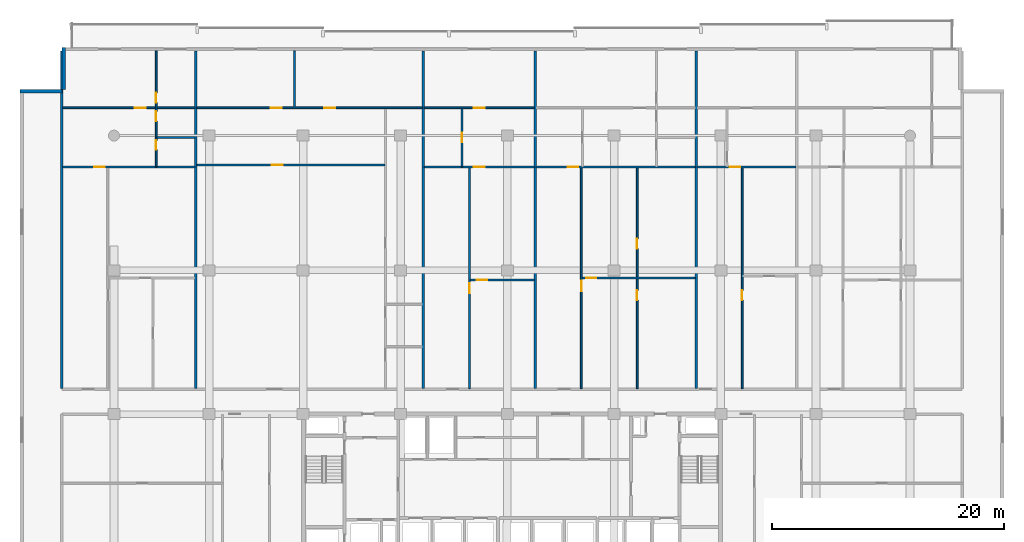
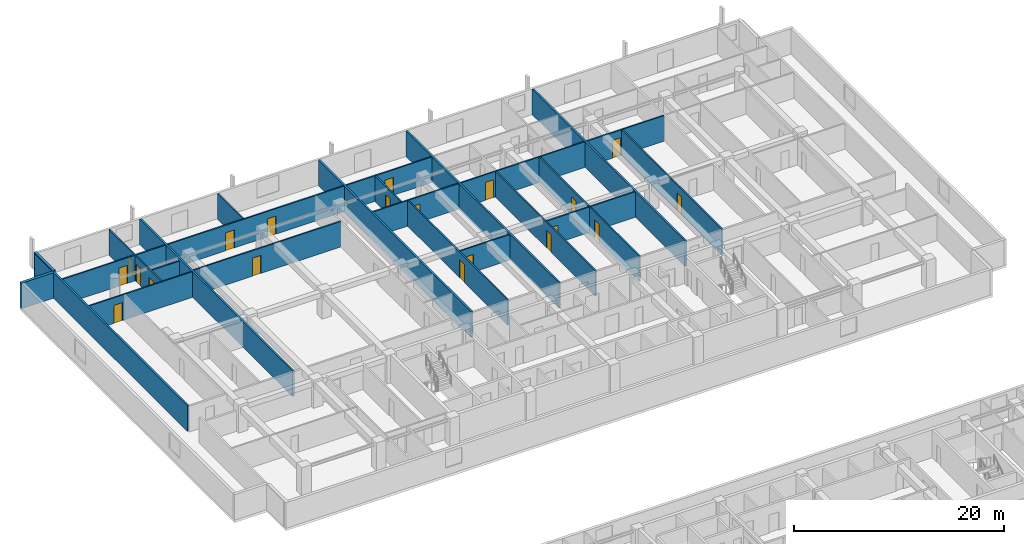
# One storey, part 15 of 24: 25 walls, 20 doors, 20 openings.
"""IFC4 building model written with IfcOpenShell, lengths in metres."""

from ifc_helpers import new_model, si_unit, direction, frame, frame_2d, origin, place, context, subcontext, project, spatial, rectangle, extrude, material, layer, layer_set, type_object, element, fill, save


model = new_model("IFC4")

# Units and contexts
model_context = context("Model", 3, precision=1e-05, world=origin(), true_north=direction((0.0, 1.0)))
body_context = subcontext(model_context, "Body", "Model", "MODEL_VIEW")
ifc_project = project(units=[si_unit("LENGTHUNIT", "METRE"), si_unit("AREAUNIT", "SQUARE_METRE"), si_unit("VOLUMEUNIT", "CUBIC_METRE"), si_unit("PLANEANGLEUNIT", "RADIAN"), si_unit("MASSUNIT", "GRAM", prefix="KILO")], contexts=[model_context])

# Site, building, storey
site_placement = place(None, origin())
site = spatial("IfcSite", under=ifc_project, at=site_placement, CompositionType="ELEMENT")
building_placement = place(site_placement, origin())
building = spatial("IfcBuilding", under=site, at=building_placement, Name="Korimba Cascade Residences", CompositionType="ELEMENT")
storey_placement = place(building_placement, frame((0.0, 0.0, 63.0)))
storey = spatial("IfcBuildingStorey", under=building, at=storey_placement, Name="L17", CompositionType="ELEMENT", Elevation=63.0)

# Walls
ifc_material_1 = material(Name="Precast concrete C40/50", Category="concrete")
ifc_layer_1 = layer(ifc_material_1, 0.300048828125)
ifc_layer_set_1 = layer_set([ifc_layer_1], Name="Precast concrete C40/50")
wall_type_1 = type_object("IfcWallType", Name="EW-STONE-300", PredefinedType="STANDARD", material=ifc_layer_set_1)
for number, where, z_axis, x_axis, name in (
    (1, (55.449951171875, 98.800048828125, 0.0), (0.0, 0.0, 1.0), (0.0, -1.0, 0.0), "L17 T1 Perimeter Stone Wall E07"),
    (2, (55.300048828125, 95.050048828125, 0.0), (0.0, 0.0, 1.0), (-1.0, 0.0, 0.0), "L17 T1 Perimeter Stone Wall E08"),
):
    element("IfcWall", number, at=place(storey_placement, frame(where, z_axis=z_axis, x_axis=x_axis)), inside=storey, type_object=wall_type_1, Name=name, PredefinedType="STANDARD", context=body_context, shape_type="SweptSolid", body=[
        extrude(rectangle(XDim=3.60009765625, YDim=0.300048828125, at=frame_2d((1.800048828125, 0.0))), origin(), (0.0, 0.0, 1.0), 2.969970703125),
    ])
ifc_layer_2 = layer(ifc_material_1, 0.199951171875)
ifc_layer_set_2 = layer_set([ifc_layer_2], Name="Precast concrete C40/50")
wall_type_2 = type_object("IfcWallType", Name="WAL-IT-200", PredefinedType="PARTITIONING", material=ifc_layer_set_2)
for number, where, z_axis, x_axis, name in (
    (3, (55.300048828125, 69.429931640625, 0.0), (0.0, 0.0, 1.0), (0.0, 1.0, 0.0), "L17 Partition Wall WAL-L17-T1-BNDWL"),
    (4, (66.854248046875, 69.429931640625, 0.0), (0.0, 0.0, 1.0), (0.0, 1.0, 0.0), "L17 Partition Wall WAL-L17-T1-DEM-1"),
    (5, (86.46484375, 69.429931640625, 0.0), (0.0, 0.0, 1.0), (0.0, 1.0, 0.0), "L17 Partition Wall WAL-L17-T1-DEM-2"),
    (6, (96.10302734375, 69.429931640625, 0.0), (0.0, 0.0, 1.0), (0.0, 1.0, 0.0), "L17 Partition Wall WAL-L17-T1-DEM-3"),
    (7, (109.96533203125, 69.429931640625, 0.0), (0.0, 0.0, 1.0), (0.0, 1.0, 0.0), "L17 Partition Wall WAL-L17-T1-DEM-4"),
):
    element("IfcWall", number, at=place(storey_placement, frame(where, z_axis=z_axis, x_axis=x_axis)), inside=storey, type_object=wall_type_2, Name=name, PredefinedType="PARTITIONING", context=body_context, shape_type="SweptSolid", body=[
        extrude(rectangle(XDim=29.070068359375, YDim=0.199951171875, at=frame_2d((14.53515625, 0.0))), origin(), (0.0, 0.0, 1.0), 2.969970703125),
    ])
ifc_material_2 = material(Name="Insulated Acoustic Stud Partition", Category="gypsum")
ifc_layer_3 = layer(ifc_material_2, 0.14990234375)
ifc_layer_set_3 = layer_set([ifc_layer_3], Name="Insulated Acoustic Stud Partition")
wall_type_3 = type_object("IfcWallType", Name="WAL-PART-150", PredefinedType="PARTITIONING", material=ifc_layer_set_3)
wall_1_placement = place(storey_placement, frame((63.494384765625, 91.0400390625, 0.0), z_axis=(0.0, 0.0, 1.0), x_axis=(1.0, 0.0, 0.0)))
element("IfcWall", 8, at=wall_1_placement, inside=storey, type_object=wall_type_3, Name="L17 Partition Wall WAL-L17-T1-U01-BLDIV", PredefinedType="PARTITIONING", context=body_context, shape_type="SweptSolid", body=[
    extrude(rectangle(XDim=3.280029296875, YDim=0.14990234375, at=frame_2d((1.64013671875, 0.0))), origin(), (0.0, 0.0, 1.0), 2.663330078125),
])

# Wall, openings, doors
wall_2_placement = place(storey_placement, frame((63.434326171875, 88.5400390625, 0.0), z_axis=(0.0, 0.0, 1.0), x_axis=(0.0, 1.0, 0.0)))
wall_2 = element("IfcWall", 9, at=wall_2_placement, inside=storey, type_object=wall_type_3, Name="L17 Partition Wall WAL-L17-T1-U01-V1", PredefinedType="PARTITIONING", context=body_context, shape_type="SweptSolid", body=[
    extrude(rectangle(XDim=9.9599609375, YDim=0.14990234375, at=frame_2d((4.97998046875, 0.0))), origin(), (0.0, 0.0, 1.0), 2.969970703125),
])
opening_1_placement = place(wall_2_placement, frame((1.430419921875, 0.0, 0.0)))
opening_1 = element("IfcOpeningElement", 10, at=opening_1_placement, cuts=wall_2, Name="Opening D-BT1", PredefinedType="OPENING", context=body_context, shape_type="SweptSolid", body=[
    extrude(rectangle(XDim=0.840087890625, YDim=2.0400390625, at=frame_2d((0.419921875, 1.02001953125))), frame((0.0, 0.0849609375, 0.0), z_axis=(0.0, -1.0, 0.0), x_axis=(1.0, 0.0, 0.0)), (0.0, 0.0, 1.0), 0.169921875),
])
opening_2_placement = place(wall_2_placement, frame((3.919921875, 0.0, 0.0)))
opening_2 = element("IfcOpeningElement", 11, at=opening_2_placement, cuts=wall_2, Name="Opening D-BT1", PredefinedType="OPENING", context=body_context, shape_type="SweptSolid", body=[
    extrude(rectangle(XDim=0.840087890625, YDim=2.0400390625, at=frame_2d((0.419921875, 1.02001953125))), frame((0.0, 0.0849609375, 0.0), z_axis=(0.0, -1.0, 0.0), x_axis=(1.0, 0.0, 0.0)), (0.0, 0.0, 1.0), 0.169921875),
])
opening_3_placement = place(wall_2_placement, frame((5.47998046875, 0.0, 0.0)))
opening_3 = element("IfcOpeningElement", 12, at=opening_3_placement, cuts=wall_2, Name="Opening D-IN2", PredefinedType="OPENING", context=body_context, shape_type="SweptSolid", body=[
    extrude(rectangle(XDim=0.8798828125, YDim=2.06005859375, at=frame_2d((0.43994140625, 1.030029296875))), frame((0.0, 0.0849609375, 0.0), z_axis=(0.0, -1.0, 0.0), x_axis=(1.0, 0.0, 0.0)), (0.0, 0.0, 1.0), 0.169921875),
])
ifc_material_3 = material(Name="Moisture-Resistant Bathroom Timber Door", Category="wood")
door_type_1 = type_object("IfcDoorType", Name="DR-INT-850", OperationType="NOTDEFINED", PredefinedType="DOOR", material=ifc_material_3)
door_1_placement = place(opening_1_placement, origin())
door_1 = element("IfcDoor", 13, at=door_1_placement, inside=storey, type_object=door_type_1, Name="L17-T1-U01 Bathroom Door", OperationType="SINGLE_SWING_RIGHT", OverallHeight=2.0400390625, OverallWidth=0.840087890625, PredefinedType="DOOR", context=body_context, shape_type="SweptSolid", body=[
    extrude(rectangle(XDim=0.840087890625, YDim=2.0400390625, at=frame_2d((0.419921875, 1.02001953125))), frame((0.0, 0.02490234375, 0.0), z_axis=(0.0, -1.0, 0.0), x_axis=(1.0, 0.0, 0.0)), (0.0, 0.0, 1.0), 0.050048828125),
])
fill(opening_1, door_1)
door_2_placement = place(opening_2_placement, origin())
door_2 = element("IfcDoor", 14, at=door_2_placement, inside=storey, type_object=door_type_1, Name="L17-T1-U01 Laundry Door", OperationType="SINGLE_SWING_LEFT", OverallHeight=2.0400390625, OverallWidth=0.840087890625, PredefinedType="DOOR", context=body_context, shape_type="SweptSolid", body=[
    extrude(rectangle(XDim=0.840087890625, YDim=2.0400390625, at=frame_2d((0.419921875, 1.02001953125))), frame((0.0, 0.02490234375, 0.0), z_axis=(0.0, -1.0, 0.0), x_axis=(1.0, 0.0, 0.0)), (0.0, 0.0, 1.0), 0.050048828125),
])
fill(opening_2, door_2)
ifc_material_4 = material(Name="Acoustic Timber Bedroom Door", Category="wood")
door_type_2 = type_object("IfcDoorType", Name="DR-INT-880", OperationType="NOTDEFINED", PredefinedType="DOOR", material=ifc_material_4)
door_3_placement = place(opening_3_placement, origin())
door_3 = element("IfcDoor", 15, at=door_3_placement, inside=storey, type_object=door_type_2, Name="L17-T1-U01 Bedroom 1 Door", OperationType="SINGLE_SWING_RIGHT", OverallHeight=2.06005859375, OverallWidth=0.8798828125, PredefinedType="DOOR", context=body_context, shape_type="SweptSolid", body=[
    extrude(rectangle(XDim=0.8798828125, YDim=2.06005859375, at=frame_2d((0.43994140625, 1.030029296875))), frame((0.0, 0.02490234375, 0.0), z_axis=(0.0, -1.0, 0.0), x_axis=(1.0, 0.0, 0.0)), (0.0, 0.0, 1.0), 0.050048828125),
])
fill(opening_3, door_3)

# Wall, opening, door
wall_3_placement = place(storey_placement, frame((55.3798828125, 88.5, 0.0), z_axis=(0.0, 0.0, 1.0), x_axis=(1.0, 0.0, 0.0)))
wall_3 = element("IfcWall", 16, at=wall_3_placement, inside=storey, type_object=wall_type_3, Name="L17 Partition Wall WAL-L17-T1-U01-MW", PredefinedType="PARTITIONING", context=body_context, shape_type="SweptSolid", body=[
    extrude(rectangle(XDim=11.39453125, YDim=0.14990234375, at=frame_2d((5.697265625, 0.0))), origin(), (0.0, 0.0, 1.0), 2.969970703125),
])
opening_4_placement = place(wall_3_placement, frame((2.719970703125, 0.0, 0.0)))
opening_4 = element("IfcOpeningElement", 17, at=opening_4_placement, cuts=wall_3, Name="Opening D-IN1", PredefinedType="OPENING", context=body_context, shape_type="SweptSolid", body=[
    extrude(rectangle(XDim=0.919921875, YDim=2.080078125, at=frame_2d((0.4599609375, 1.0400390625))), frame((0.0, 0.0849609375, 0.0), z_axis=(0.0, -1.0, 0.0), x_axis=(1.0, 0.0, 0.0)), (0.0, 0.0, 1.0), 0.169921875),
])
ifc_material_5 = material(Name="Acoustic Timber Living Door", Category="wood")
door_type_3 = type_object("IfcDoorType", Name="DR-INT-920", OperationType="NOTDEFINED", PredefinedType="DOOR", material=ifc_material_5)
door_4_placement = place(opening_4_placement, origin())
door_4 = element("IfcDoor", 18, at=door_4_placement, inside=storey, type_object=door_type_3, Name="L17-T1-U01 Kitchen Archway Door", OperationType="SINGLE_SWING_LEFT", OverallHeight=2.080078125, OverallWidth=0.919921875, PredefinedType="DOOR", context=body_context, shape_type="SweptSolid", body=[
    extrude(rectangle(XDim=0.919921875, YDim=2.080078125, at=frame_2d((0.4599609375, 1.0400390625))), frame((0.0, 0.02490234375, 0.0), z_axis=(0.0, -1.0, 0.0), x_axis=(1.0, 0.0, 0.0)), (0.0, 0.0, 1.0), 0.050048828125),
])
fill(opening_4, door_4)

wall_4_placement = place(storey_placement, frame((55.3798828125, 93.60009765625, 0.0), z_axis=(0.0, 0.0, 1.0), x_axis=(1.0, 0.0, 0.0)))
wall_4 = element("IfcWall", 19, at=wall_4_placement, inside=storey, type_object=wall_type_3, Name="L17 Partition Wall WAL-L17-T1-U01-HZ", PredefinedType="PARTITIONING", context=body_context, shape_type="SweptSolid", body=[
    extrude(rectangle(XDim=11.39453125, YDim=0.14990234375, at=frame_2d((5.697265625, 0.0))), origin(), (0.0, 0.0, 1.0), 2.969970703125),
])
opening_5_placement = place(wall_4_placement, frame((6.202880859375, 0.0, 0.0)))
opening_5 = element("IfcOpeningElement", 20, at=opening_5_placement, cuts=wall_4, Name="Opening D-IN0", PredefinedType="OPENING", context=body_context, shape_type="SweptSolid", body=[
    extrude(rectangle(XDim=0.93994140625, YDim=2.10009765625, at=frame_2d((0.469970703125, 1.050048828125))), frame((0.0, 0.0849609375, 0.0), z_axis=(0.0, -1.0, 0.0), x_axis=(1.0, 0.0, 0.0)), (0.0, 0.0, 1.0), 0.169921875),
])
ifc_material_6 = material(Name="Acoustic Timber Living Archway Door", Category="wood")
door_type_4 = type_object("IfcDoorType", Name="DR-INT-950", OperationType="NOTDEFINED", PredefinedType="DOOR", material=ifc_material_6)
door_5_placement = place(opening_5_placement, origin())
door_5 = element("IfcDoor", 21, at=door_5_placement, inside=storey, type_object=door_type_4, Name="L17-T1-U01 Living Archway Door", OperationType="SINGLE_SWING_RIGHT", OverallHeight=2.10009765625, OverallWidth=0.93994140625, PredefinedType="DOOR", context=body_context, shape_type="SweptSolid", body=[
    extrude(rectangle(XDim=0.93994140625, YDim=2.10009765625, at=frame_2d((0.469970703125, 1.050048828125))), frame((0.0, 0.02490234375, 0.0), z_axis=(0.0, -1.0, 0.0), x_axis=(1.0, 0.0, 0.0)), (0.0, 0.0, 1.0), 0.050048828125),
])
fill(opening_5, door_5)

wall_5_placement = place(storey_placement, frame((66.934326171875, 88.679931640625, 0.0), z_axis=(0.0, 0.0, 1.0), x_axis=(1.0, 0.0, 0.0)))
wall_5 = element("IfcWall", 22, at=wall_5_placement, inside=storey, type_object=wall_type_3, Name="L17 Partition Wall WAL-L17-T1-U02-CARH", PredefinedType="PARTITIONING", context=body_context, shape_type="SweptSolid", body=[
    extrude(rectangle(XDim=16.220458984375, YDim=0.14990234375, at=frame_2d((8.1103515625, 0.0))), origin(), (0.0, 0.0, 1.0), 2.969970703125),
])
opening_6_placement = place(wall_5_placement, frame((6.473876953125, 0.0, 0.0)))
opening_6 = element("IfcOpeningElement", 23, at=opening_6_placement, cuts=wall_5, Name="Opening D-IN0", PredefinedType="OPENING", context=body_context, shape_type="SweptSolid", body=[
    extrude(rectangle(XDim=0.93994140625, YDim=2.10009765625, at=frame_2d((0.469970703125, 1.050048828125))), frame((0.0, 0.0849609375, 0.0), z_axis=(0.0, -1.0, 0.0), x_axis=(1.0, 0.0, 0.0)), (0.0, 0.0, 1.0), 0.169921875),
])
door_6_placement = place(opening_6_placement, origin())
door_6 = element("IfcDoor", 24, at=door_6_placement, inside=storey, type_object=door_type_4, Name="L17-T1-U02 Wellness Clinic Foyer Door", OperationType="SINGLE_SWING_LEFT", OverallHeight=2.10009765625, OverallWidth=0.93994140625, PredefinedType="DOOR", context=body_context, shape_type="SweptSolid", body=[
    extrude(rectangle(XDim=0.93994140625, YDim=2.10009765625, at=frame_2d((0.469970703125, 1.050048828125))), frame((0.0, 0.02490234375, 0.0), z_axis=(0.0, -1.0, 0.0), x_axis=(1.0, 0.0, 0.0)), (0.0, 0.0, 1.0), 0.050048828125),
])
fill(opening_6, door_6)

# Wall
wall_6_placement = place(storey_placement, frame((75.3544921875, 93.679931640625, 0.0), z_axis=(0.0, 0.0, 1.0), x_axis=(0.0, 1.0, 0.0)))
element("IfcWall", 25, at=wall_6_placement, inside=storey, type_object=wall_type_3, Name="L17 Partition Wall WAL-L17-T1-U02-OUTV", PredefinedType="PARTITIONING", context=body_context, shape_type="SweptSolid", body=[
    extrude(rectangle(XDim=4.820068359375, YDim=0.14990234375, at=frame_2d((2.41015625, 0.0))), origin(), (0.0, 0.0, 1.0), 2.969970703125),
])

# Wall, openings, doors
wall_7_placement = place(storey_placement, frame((66.934326171875, 93.60009765625, 0.0), z_axis=(0.0, 0.0, 1.0), x_axis=(1.0, 0.0, 0.0)))
wall_7 = element("IfcWall", 26, at=wall_7_placement, inside=storey, type_object=wall_type_3, Name="L17 Partition Wall WAL-L17-T1-U02-HZ", PredefinedType="PARTITIONING", context=body_context, shape_type="SweptSolid", body=[
    extrude(rectangle(XDim=19.450439453125, YDim=0.14990234375, at=frame_2d((9.72509765625, 0.0))), origin(), (0.0, 0.0, 1.0), 2.969970703125),
])
opening_7_placement = place(wall_7_placement, frame((6.392578125, 0.0, 0.0)))
opening_7 = element("IfcOpeningElement", 27, at=opening_7_placement, cuts=wall_7, Name="Opening D-IN0", PredefinedType="OPENING", context=body_context, shape_type="SweptSolid", body=[
    extrude(rectangle(XDim=0.93994140625, YDim=2.10009765625, at=frame_2d((0.469970703125, 1.050048828125))), frame((0.0, 0.0849609375, 0.0), z_axis=(0.0, -1.0, 0.0), x_axis=(1.0, 0.0, 0.0)), (0.0, 0.0, 1.0), 0.169921875),
])
opening_8_placement = place(wall_7_placement, frame((10.974365234375, 0.0, 0.0)))
opening_8 = element("IfcOpeningElement", 28, at=opening_8_placement, cuts=wall_7, Name="Opening D-IN0", PredefinedType="OPENING", context=body_context, shape_type="SweptSolid", body=[
    extrude(rectangle(XDim=0.93994140625, YDim=2.10009765625, at=frame_2d((0.469970703125, 1.050048828125))), frame((0.0, 0.0849609375, 0.0), z_axis=(0.0, -1.0, 0.0), x_axis=(1.0, 0.0, 0.0)), (0.0, 0.0, 1.0), 0.169921875),
])
door_7_placement = place(opening_7_placement, origin())
door_7 = element("IfcDoor", 29, at=door_7_placement, inside=storey, type_object=door_type_4, Name="L17-T1-U02 Hydrotherapy Wellness Clinic Door", OperationType="SINGLE_SWING_LEFT", OverallHeight=2.10009765625, OverallWidth=0.93994140625, PredefinedType="DOOR", context=body_context, shape_type="SweptSolid", body=[
    extrude(rectangle(XDim=0.93994140625, YDim=2.10009765625, at=frame_2d((0.469970703125, 1.050048828125))), frame((0.0, 0.02490234375, 0.0), z_axis=(0.0, -1.0, 0.0), x_axis=(1.0, 0.0, 0.0)), (0.0, 0.0, 1.0), 0.050048828125),
])
fill(opening_7, door_7)
door_8_placement = place(opening_8_placement, origin())
door_8 = element("IfcDoor", 30, at=door_8_placement, inside=storey, type_object=door_type_4, Name="L17-T1-U02 Physiotherapy Treatment Room Door", OperationType="SINGLE_SWING_RIGHT", OverallHeight=2.10009765625, OverallWidth=0.93994140625, PredefinedType="DOOR", context=body_context, shape_type="SweptSolid", body=[
    extrude(rectangle(XDim=0.93994140625, YDim=2.10009765625, at=frame_2d((0.469970703125, 1.050048828125))), frame((0.0, 0.02490234375, 0.0), z_axis=(0.0, -1.0, 0.0), x_axis=(1.0, 0.0, 0.0)), (0.0, 0.0, 1.0), 0.050048828125),
])
fill(opening_8, door_8)

# Wall, opening, door
wall_8_placement = place(storey_placement, frame((90.494873046875, 78.7548828125, 0.0), z_axis=(0.0, 0.0, 1.0), x_axis=(1.0, 0.0, 0.0)))
wall_8 = element("IfcWall", 31, at=wall_8_placement, inside=storey, type_object=wall_type_3, Name="L17 Partition Wall WAL-L17-T1-U03-FMH", PredefinedType="PARTITIONING", context=body_context, shape_type="SweptSolid", body=[
    extrude(rectangle(XDim=5.5283203125, YDim=0.14990234375, at=frame_2d((2.76416015625, 0.0))), origin(), (0.0, 0.0, 1.0), 2.969970703125),
])
opening_9_placement = place(wall_8_placement, frame((0.5869140625, 0.0, 0.0)))
opening_9 = element("IfcOpeningElement", 32, at=opening_9_placement, cuts=wall_8, Name="Opening D-IN2", PredefinedType="OPENING", context=body_context, shape_type="SweptSolid", body=[
    extrude(rectangle(XDim=0.8798828125, YDim=2.06005859375, at=frame_2d((0.43994140625, 1.030029296875))), frame((0.0, 0.0849609375, 0.0), z_axis=(0.0, -1.0, 0.0), x_axis=(1.0, 0.0, 0.0)), (0.0, 0.0, 1.0), 0.169921875),
])
door_9_placement = place(opening_9_placement, origin())
door_9 = element("IfcDoor", 33, at=door_9_placement, inside=storey, type_object=door_type_2, Name="L17-T1-U03 Library Salon Door", OperationType="SINGLE_SWING_LEFT", OverallHeight=2.06005859375, OverallWidth=0.8798828125, PredefinedType="DOOR", context=body_context, shape_type="SweptSolid", body=[
    extrude(rectangle(XDim=0.8798828125, YDim=2.06005859375, at=frame_2d((0.43994140625, 1.030029296875))), frame((0.0, 0.02490234375, 0.0), z_axis=(0.0, -1.0, 0.0), x_axis=(1.0, 0.0, 0.0)), (0.0, 0.0, 1.0), 0.050048828125),
])
fill(opening_9, door_9)

wall_9_placement = place(storey_placement, frame((90.434814453125, 69.409912109375, 0.0), z_axis=(0.0, 0.0, 1.0), x_axis=(0.0, 1.0, 0.0)))
wall_9 = element("IfcWall", 34, at=wall_9_placement, inside=storey, type_object=wall_type_3, Name="L17 Partition Wall WAL-L17-T1-U03-FV", PredefinedType="PARTITIONING", context=body_context, shape_type="SweptSolid", body=[
    extrude(rectangle(XDim=19.050048828125, YDim=0.14990234375, at=frame_2d((9.52490234375, 0.0))), origin(), (0.0, 0.0, 1.0), 2.969970703125),
])
opening_10_placement = place(wall_9_placement, frame((8.215087890625, 0.0, 0.0)))
opening_10 = element("IfcOpeningElement", 35, at=opening_10_placement, cuts=wall_9, Name="Opening D-IN2", PredefinedType="OPENING", context=body_context, shape_type="SweptSolid", body=[
    extrude(rectangle(XDim=0.8798828125, YDim=2.06005859375, at=frame_2d((0.43994140625, 1.030029296875))), frame((0.0, 0.0849609375, 0.0), z_axis=(0.0, -1.0, 0.0), x_axis=(1.0, 0.0, 0.0)), (0.0, 0.0, 1.0), 0.169921875),
])
door_10_placement = place(opening_10_placement, origin())
door_10 = element("IfcDoor", 36, at=door_10_placement, inside=storey, type_object=door_type_2, Name="L17-T1-U03 Media Lounge Door", OperationType="SINGLE_SWING_RIGHT", OverallHeight=2.06005859375, OverallWidth=0.8798828125, PredefinedType="DOOR", context=body_context, shape_type="SweptSolid", body=[
    extrude(rectangle(XDim=0.8798828125, YDim=2.06005859375, at=frame_2d((0.43994140625, 1.030029296875))), frame((0.0, 0.02490234375, 0.0), z_axis=(0.0, -1.0, 0.0), x_axis=(1.0, 0.0, 0.0)), (0.0, 0.0, 1.0), 0.050048828125),
])
fill(opening_10, door_10)

wall_10_placement = place(storey_placement, frame((89.783203125, 88.5400390625, 0.0), z_axis=(0.0, 0.0, 1.0), x_axis=(0.0, 1.0, 0.0)))
wall_10 = element("IfcWall", 37, at=wall_10_placement, inside=storey, type_object=wall_type_3, Name="L17 Partition Wall WAL-L17-T1-U03-BM", PredefinedType="PARTITIONING", context=body_context, shape_type="SweptSolid", body=[
    extrude(rectangle(XDim=5.0, YDim=0.14990234375, at=frame_2d((2.5, 0.0))), origin(), (0.0, 0.0, 1.0), 2.969970703125),
])
opening_11_placement = place(wall_10_placement, frame((2.080078125, 0.0, 0.0)))
opening_11 = element("IfcOpeningElement", 38, at=opening_11_placement, cuts=wall_10, Name="Opening D-BT1", PredefinedType="OPENING", context=body_context, shape_type="SweptSolid", body=[
    extrude(rectangle(XDim=0.840087890625, YDim=2.0400390625, at=frame_2d((0.419921875, 1.02001953125))), frame((0.0, 0.0849609375, 0.0), z_axis=(0.0, -1.0, 0.0), x_axis=(1.0, 0.0, 0.0)), (0.0, 0.0, 1.0), 0.169921875),
])
door_11_placement = place(opening_11_placement, origin())
door_11 = element("IfcDoor", 39, at=door_11_placement, inside=storey, type_object=door_type_1, Name="L17-T1-U03 Bathroom Door", OperationType="SINGLE_SWING_LEFT", OverallHeight=2.0400390625, OverallWidth=0.840087890625, PredefinedType="DOOR", context=body_context, shape_type="SweptSolid", body=[
    extrude(rectangle(XDim=0.840087890625, YDim=2.0400390625, at=frame_2d((0.419921875, 1.02001953125))), frame((0.0, 0.02490234375, 0.0), z_axis=(0.0, -1.0, 0.0), x_axis=(1.0, 0.0, 0.0)), (0.0, 0.0, 1.0), 0.050048828125),
])
fill(opening_11, door_11)

wall_11_placement = place(storey_placement, frame((86.544921875, 88.5, 0.0), z_axis=(0.0, 0.0, 1.0), x_axis=(1.0, 0.0, 0.0)))
wall_11 = element("IfcWall", 40, at=wall_11_placement, inside=storey, type_object=wall_type_3, Name="L17 Partition Wall WAL-L17-T1-U03-MW", PredefinedType="PARTITIONING", context=body_context, shape_type="SweptSolid", body=[
    extrude(rectangle(XDim=9.478271484375, YDim=0.14990234375, at=frame_2d((4.7392578125, 0.0))), origin(), (0.0, 0.0, 1.0), 2.969970703125),
])
opening_12_placement = place(wall_11_placement, frame((4.279296875, 0.0, 0.0)))
opening_12 = element("IfcOpeningElement", 41, at=opening_12_placement, cuts=wall_11, Name="Opening D-IN1", PredefinedType="OPENING", context=body_context, shape_type="SweptSolid", body=[
    extrude(rectangle(XDim=0.919921875, YDim=2.080078125, at=frame_2d((0.4599609375, 1.0400390625))), frame((0.0, 0.0849609375, 0.0), z_axis=(0.0, -1.0, 0.0), x_axis=(1.0, 0.0, 0.0)), (0.0, 0.0, 1.0), 0.169921875),
])
door_12_placement = place(opening_12_placement, origin())
door_12 = element("IfcDoor", 42, at=door_12_placement, inside=storey, type_object=door_type_3, Name="L17-T1-U03 Studio Kitchen Door", OperationType="SINGLE_SWING_RIGHT", OverallHeight=2.080078125, OverallWidth=0.919921875, PredefinedType="DOOR", context=body_context, shape_type="SweptSolid", body=[
    extrude(rectangle(XDim=0.919921875, YDim=2.080078125, at=frame_2d((0.4599609375, 1.0400390625))), frame((0.0, 0.02490234375, 0.0), z_axis=(0.0, -1.0, 0.0), x_axis=(1.0, 0.0, 0.0)), (0.0, 0.0, 1.0), 0.050048828125),
])
fill(opening_12, door_12)

wall_12_placement = place(storey_placement, frame((86.544921875, 93.60009765625, 0.0), z_axis=(0.0, 0.0, 1.0), x_axis=(1.0, 0.0, 0.0)))
wall_12 = element("IfcWall", 43, at=wall_12_placement, inside=storey, type_object=wall_type_3, Name="L17 Partition Wall WAL-L17-T1-U03-HZ", PredefinedType="PARTITIONING", context=body_context, shape_type="SweptSolid", body=[
    extrude(rectangle(XDim=9.478271484375, YDim=0.14990234375, at=frame_2d((4.7392578125, 0.0))), origin(), (0.0, 0.0, 1.0), 2.969970703125),
])
opening_13_placement = place(wall_12_placement, frame((4.279296875, 0.0, 0.0)))
opening_13 = element("IfcOpeningElement", 44, at=opening_13_placement, cuts=wall_12, Name="Opening D-IN1", PredefinedType="OPENING", context=body_context, shape_type="SweptSolid", body=[
    extrude(rectangle(XDim=0.919921875, YDim=2.080078125, at=frame_2d((0.4599609375, 1.0400390625))), frame((0.0, 0.0849609375, 0.0), z_axis=(0.0, -1.0, 0.0), x_axis=(1.0, 0.0, 0.0)), (0.0, 0.0, 1.0), 0.169921875),
])
door_13_placement = place(opening_13_placement, origin())
door_13 = element("IfcDoor", 45, at=door_13_placement, inside=storey, type_object=door_type_3, Name="L17-T1-U03 Studio Door", OperationType="SINGLE_SWING_LEFT", OverallHeight=2.080078125, OverallWidth=0.919921875, PredefinedType="DOOR", context=body_context, shape_type="SweptSolid", body=[
    extrude(rectangle(XDim=0.919921875, YDim=2.080078125, at=frame_2d((0.4599609375, 1.0400390625))), frame((0.0, 0.02490234375, 0.0), z_axis=(0.0, -1.0, 0.0), x_axis=(1.0, 0.0, 0.0)), (0.0, 0.0, 1.0), 0.050048828125),
])
fill(opening_13, door_13)

# Wall, openings, doors
wall_13_placement = place(storey_placement, frame((104.88916015625, 69.409912109375, 0.0), z_axis=(0.0, 0.0, 1.0), x_axis=(0.0, 1.0, 0.0)))
wall_13 = element("IfcWall", 46, at=wall_13_placement, inside=storey, type_object=wall_type_3, Name="L17 Partition Wall WAL-L17-T1-U04-FMV", PredefinedType="PARTITIONING", context=body_context, shape_type="SweptSolid", body=[
    extrude(rectangle(XDim=19.050048828125, YDim=0.14990234375, at=frame_2d((9.52490234375, 0.0))), origin(), (0.0, 0.0, 1.0), 2.969970703125),
])
opening_14_placement = place(wall_13_placement, frame((7.62646484375, 0.0, 0.0)))
opening_14 = element("IfcOpeningElement", 47, at=opening_14_placement, cuts=wall_13, Name="Opening D-BT1", PredefinedType="OPENING", context=body_context, shape_type="SweptSolid", body=[
    extrude(rectangle(XDim=0.840087890625, YDim=2.0400390625, at=frame_2d((0.419921875, 1.02001953125))), frame((0.0, 0.0849609375, 0.0), z_axis=(0.0, -1.0, 0.0), x_axis=(1.0, 0.0, 0.0)), (0.0, 0.0, 1.0), 0.169921875),
])
opening_15_placement = place(wall_13_placement, frame((12.027587890625, 0.0, 0.0)))
opening_15 = element("IfcOpeningElement", 48, at=opening_15_placement, cuts=wall_13, Name="Opening D-IN2", PredefinedType="OPENING", context=body_context, shape_type="SweptSolid", body=[
    extrude(rectangle(XDim=0.8798828125, YDim=2.06005859375, at=frame_2d((0.43994140625, 1.030029296875))), frame((0.0, 0.0849609375, 0.0), z_axis=(0.0, -1.0, 0.0), x_axis=(1.0, 0.0, 0.0)), (0.0, 0.0, 1.0), 0.169921875),
])
door_14_placement = place(opening_14_placement, origin())
door_14 = element("IfcDoor", 49, at=door_14_placement, inside=storey, type_object=door_type_1, Name="L17-T1-U04 Wardrobe Door", OperationType="SINGLE_SWING_RIGHT", OverallHeight=2.0400390625, OverallWidth=0.840087890625, PredefinedType="DOOR", context=body_context, shape_type="SweptSolid", body=[
    extrude(rectangle(XDim=0.840087890625, YDim=2.0400390625, at=frame_2d((0.419921875, 1.02001953125))), frame((0.0, 0.02490234375, 0.0), z_axis=(0.0, -1.0, 0.0), x_axis=(1.0, 0.0, 0.0)), (0.0, 0.0, 1.0), 0.050048828125),
])
fill(opening_14, door_14)
door_15_placement = place(opening_15_placement, origin())
door_15 = element("IfcDoor", 50, at=door_15_placement, inside=storey, type_object=door_type_2, Name="L17-T1-U04 Music Lounge Door", OperationType="SINGLE_SWING_LEFT", OverallHeight=2.06005859375, OverallWidth=0.8798828125, PredefinedType="DOOR", context=body_context, shape_type="SweptSolid", body=[
    extrude(rectangle(XDim=0.8798828125, YDim=2.06005859375, at=frame_2d((0.43994140625, 1.030029296875))), frame((0.0, 0.02490234375, 0.0), z_axis=(0.0, -1.0, 0.0), x_axis=(1.0, 0.0, 0.0)), (0.0, 0.0, 1.0), 0.050048828125),
])
fill(opening_15, door_15)

# Wall, opening, door
wall_14_placement = place(storey_placement, frame((100.133056640625, 78.93505859375, 0.0), z_axis=(0.0, 0.0, 1.0), x_axis=(1.0, 0.0, 0.0)))
wall_14 = element("IfcWall", 51, at=wall_14_placement, inside=storey, type_object=wall_type_3, Name="L17 Partition Wall WAL-L17-T1-U04-FMH", PredefinedType="PARTITIONING", context=body_context, shape_type="SweptSolid", body=[
    extrude(rectangle(XDim=9.75244140625, YDim=0.14990234375, at=frame_2d((4.876220703125, 0.0))), origin(), (0.0, 0.0, 1.0), 2.969970703125),
])
opening_16_placement = place(wall_14_placement, frame((0.35009765625, 0.0, 0.0)))
opening_16 = element("IfcOpeningElement", 52, at=opening_16_placement, cuts=wall_14, Name="Opening D-IN2", PredefinedType="OPENING", context=body_context, shape_type="SweptSolid", body=[
    extrude(rectangle(XDim=0.8798828125, YDim=2.06005859375, at=frame_2d((0.43994140625, 1.030029296875))), frame((0.0, 0.0849609375, 0.0), z_axis=(0.0, -1.0, 0.0), x_axis=(1.0, 0.0, 0.0)), (0.0, 0.0, 1.0), 0.169921875),
])
door_16_placement = place(opening_16_placement, origin())
door_16 = element("IfcDoor", 53, at=door_16_placement, inside=storey, type_object=door_type_2, Name="L17-T1-U04 Library Salon Door", OperationType="SINGLE_SWING_RIGHT", OverallHeight=2.06005859375, OverallWidth=0.8798828125, PredefinedType="DOOR", context=body_context, shape_type="SweptSolid", body=[
    extrude(rectangle(XDim=0.8798828125, YDim=2.06005859375, at=frame_2d((0.43994140625, 1.030029296875))), frame((0.0, 0.02490234375, 0.0), z_axis=(0.0, -1.0, 0.0), x_axis=(1.0, 0.0, 0.0)), (0.0, 0.0, 1.0), 0.050048828125),
])
fill(opening_16, door_16)

wall_15_placement = place(storey_placement, frame((100.072998046875, 69.409912109375, 0.0), z_axis=(0.0, 0.0, 1.0), x_axis=(0.0, 1.0, 0.0)))
wall_15 = element("IfcWall", 54, at=wall_15_placement, inside=storey, type_object=wall_type_3, Name="L17 Partition Wall WAL-L17-T1-U04-FV", PredefinedType="PARTITIONING", context=body_context, shape_type="SweptSolid", body=[
    extrude(rectangle(XDim=19.050048828125, YDim=0.14990234375, at=frame_2d((9.52490234375, 0.0))), origin(), (0.0, 0.0, 1.0), 2.969970703125),
])
opening_17_placement = place(wall_15_placement, frame((8.39501953125, 0.0, 0.0)))
opening_17 = element("IfcOpeningElement", 55, at=opening_17_placement, cuts=wall_15, Name="Opening D-IN2", PredefinedType="OPENING", context=body_context, shape_type="SweptSolid", body=[
    extrude(rectangle(XDim=0.8798828125, YDim=2.06005859375, at=frame_2d((0.43994140625, 1.030029296875))), frame((0.0, 0.0849609375, 0.0), z_axis=(0.0, -1.0, 0.0), x_axis=(1.0, 0.0, 0.0)), (0.0, 0.0, 1.0), 0.169921875),
])
door_17_placement = place(opening_17_placement, origin())
door_17 = element("IfcDoor", 56, at=door_17_placement, inside=storey, type_object=door_type_2, Name="L17-T1-U04 Media Lounge Door", OperationType="SINGLE_SWING_LEFT", OverallHeight=2.06005859375, OverallWidth=0.8798828125, PredefinedType="DOOR", context=body_context, shape_type="SweptSolid", body=[
    extrude(rectangle(XDim=0.8798828125, YDim=2.06005859375, at=frame_2d((0.43994140625, 1.030029296875))), frame((0.0, 0.02490234375, 0.0), z_axis=(0.0, -1.0, 0.0), x_axis=(1.0, 0.0, 0.0)), (0.0, 0.0, 1.0), 0.050048828125),
])
fill(opening_17, door_17)

wall_16_placement = place(storey_placement, frame((96.18310546875, 88.5, 0.0), z_axis=(0.0, 0.0, 1.0), x_axis=(1.0, 0.0, 0.0)))
wall_16 = element("IfcWall", 57, at=wall_16_placement, inside=storey, type_object=wall_type_3, Name="L17 Partition Wall WAL-L17-T1-U04-MW", PredefinedType="PARTITIONING", context=body_context, shape_type="SweptSolid", body=[
    extrude(rectangle(XDim=13.702392578125, YDim=0.14990234375, at=frame_2d((6.85107421875, 0.0))), origin(), (0.0, 0.0, 1.0), 2.969970703125),
])
opening_18_placement = place(wall_16_placement, frame((2.719970703125, 0.0, 0.0)))
opening_18 = element("IfcOpeningElement", 58, at=opening_18_placement, cuts=wall_16, Name="Opening D-IN1", PredefinedType="OPENING", context=body_context, shape_type="SweptSolid", body=[
    extrude(rectangle(XDim=0.919921875, YDim=2.080078125, at=frame_2d((0.4599609375, 1.0400390625))), frame((0.0, 0.0849609375, 0.0), z_axis=(0.0, -1.0, 0.0), x_axis=(1.0, 0.0, 0.0)), (0.0, 0.0, 1.0), 0.169921875),
])
door_18_placement = place(opening_18_placement, origin())
door_18 = element("IfcDoor", 59, at=door_18_placement, inside=storey, type_object=door_type_3, Name="L17-T1-U04 Kitchen Archway Door", OperationType="SINGLE_SWING_RIGHT", OverallHeight=2.080078125, OverallWidth=0.919921875, PredefinedType="DOOR", context=body_context, shape_type="SweptSolid", body=[
    extrude(rectangle(XDim=0.919921875, YDim=2.080078125, at=frame_2d((0.4599609375, 1.0400390625))), frame((0.0, 0.02490234375, 0.0), z_axis=(0.0, -1.0, 0.0), x_axis=(1.0, 0.0, 0.0)), (0.0, 0.0, 1.0), 0.050048828125),
])
fill(opening_18, door_18)

wall_17_placement = place(storey_placement, frame((113.935302734375, 69.409912109375, 0.0), z_axis=(0.0, 0.0, 1.0), x_axis=(0.0, 1.0, 0.0)))
wall_17 = element("IfcWall", 60, at=wall_17_placement, inside=storey, type_object=wall_type_3, Name="L17 Partition Wall WAL-L17-T1-U05-FV", PredefinedType="PARTITIONING", context=body_context, shape_type="SweptSolid", body=[
    extrude(rectangle(XDim=19.050048828125, YDim=0.14990234375, at=frame_2d((9.52490234375, 0.0))), origin(), (0.0, 0.0, 1.0), 2.969970703125),
])
opening_19_placement = place(wall_17_placement, frame((7.587890625, 0.0, 0.0)))
opening_19 = element("IfcOpeningElement", 61, at=opening_19_placement, cuts=wall_17, Name="Opening D-IN2", PredefinedType="OPENING", context=body_context, shape_type="SweptSolid", body=[
    extrude(rectangle(XDim=0.8798828125, YDim=2.06005859375, at=frame_2d((0.43994140625, 1.030029296875))), frame((0.0, 0.0849609375, 0.0), z_axis=(0.0, -1.0, 0.0), x_axis=(1.0, 0.0, 0.0)), (0.0, 0.0, 1.0), 0.169921875),
])
door_19_placement = place(opening_19_placement, origin())
door_19 = element("IfcDoor", 62, at=door_19_placement, inside=storey, type_object=door_type_2, Name="L17-T1-U05 Media Lounge Door", OperationType="SINGLE_SWING_LEFT", OverallHeight=2.06005859375, OverallWidth=0.8798828125, PredefinedType="DOOR", context=body_context, shape_type="SweptSolid", body=[
    extrude(rectangle(XDim=0.8798828125, YDim=2.06005859375, at=frame_2d((0.43994140625, 1.030029296875))), frame((0.0, 0.02490234375, 0.0), z_axis=(0.0, -1.0, 0.0), x_axis=(1.0, 0.0, 0.0)), (0.0, 0.0, 1.0), 0.050048828125),
])
fill(opening_19, door_19)

wall_18_placement = place(storey_placement, frame((110.04541015625, 88.5, 0.0), z_axis=(0.0, 0.0, 1.0), x_axis=(1.0, 0.0, 0.0)))
wall_18 = element("IfcWall", 63, at=wall_18_placement, inside=storey, type_object=wall_type_3, Name="L17 Partition Wall WAL-L17-T1-U05-MW", PredefinedType="PARTITIONING", context=body_context, shape_type="SweptSolid", body=[
    extrude(rectangle(XDim=8.520263671875, YDim=0.14990234375, at=frame_2d((4.26025390625, 0.0))), origin(), (0.0, 0.0, 1.0), 2.969970703125),
])
opening_20_placement = place(wall_18_placement, frame((2.800048828125, 0.0, 0.0)))
opening_20 = element("IfcOpeningElement", 64, at=opening_20_placement, cuts=wall_18, Name="Opening D-IN1", PredefinedType="OPENING", context=body_context, shape_type="SweptSolid", body=[
    extrude(rectangle(XDim=0.919921875, YDim=2.080078125, at=frame_2d((0.4599609375, 1.0400390625))), frame((0.0, 0.0849609375, 0.0), z_axis=(0.0, -1.0, 0.0), x_axis=(1.0, 0.0, 0.0)), (0.0, 0.0, 1.0), 0.169921875),
])
door_20_placement = place(opening_20_placement, origin())
door_20 = element("IfcDoor", 65, at=door_20_placement, inside=storey, type_object=door_type_3, Name="L17-T1-U05 Studio Kitchen Door", OperationType="SINGLE_SWING_LEFT", OverallHeight=2.080078125, OverallWidth=0.919921875, PredefinedType="DOOR", context=body_context, shape_type="SweptSolid", body=[
    extrude(rectangle(XDim=0.919921875, YDim=2.080078125, at=frame_2d((0.4599609375, 1.0400390625))), frame((0.0, 0.02490234375, 0.0), z_axis=(0.0, -1.0, 0.0), x_axis=(1.0, 0.0, 0.0)), (0.0, 0.0, 1.0), 0.050048828125),
])
fill(opening_20, door_20)

save(model, "model.ifc")
